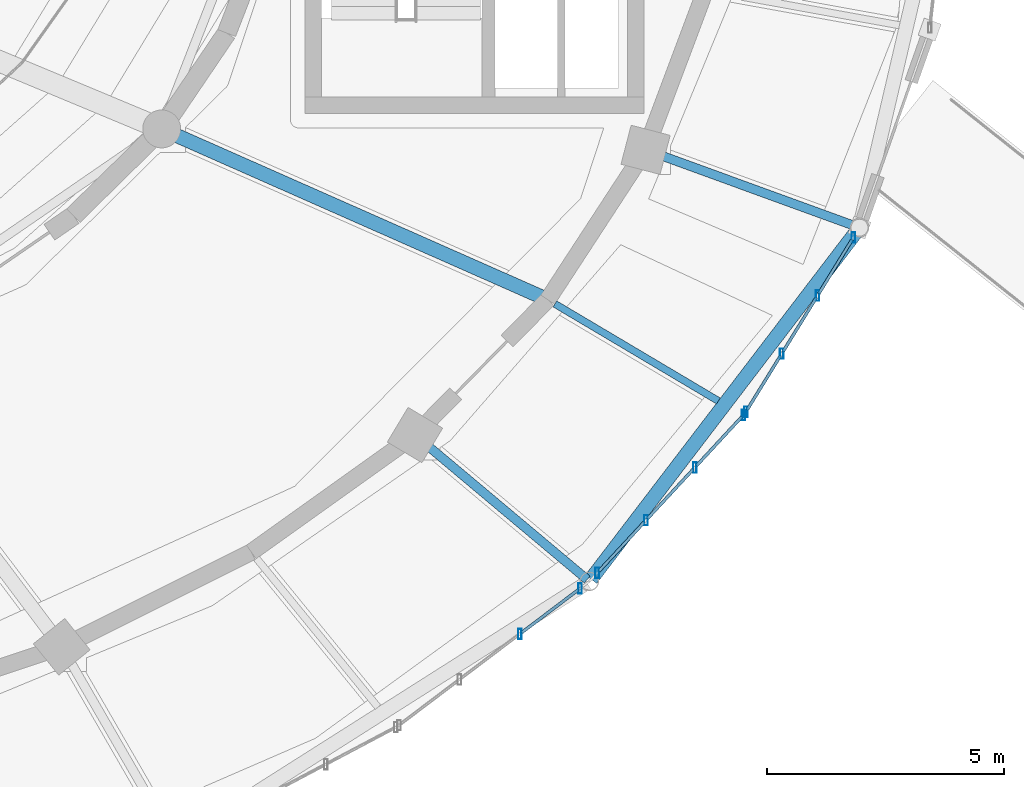
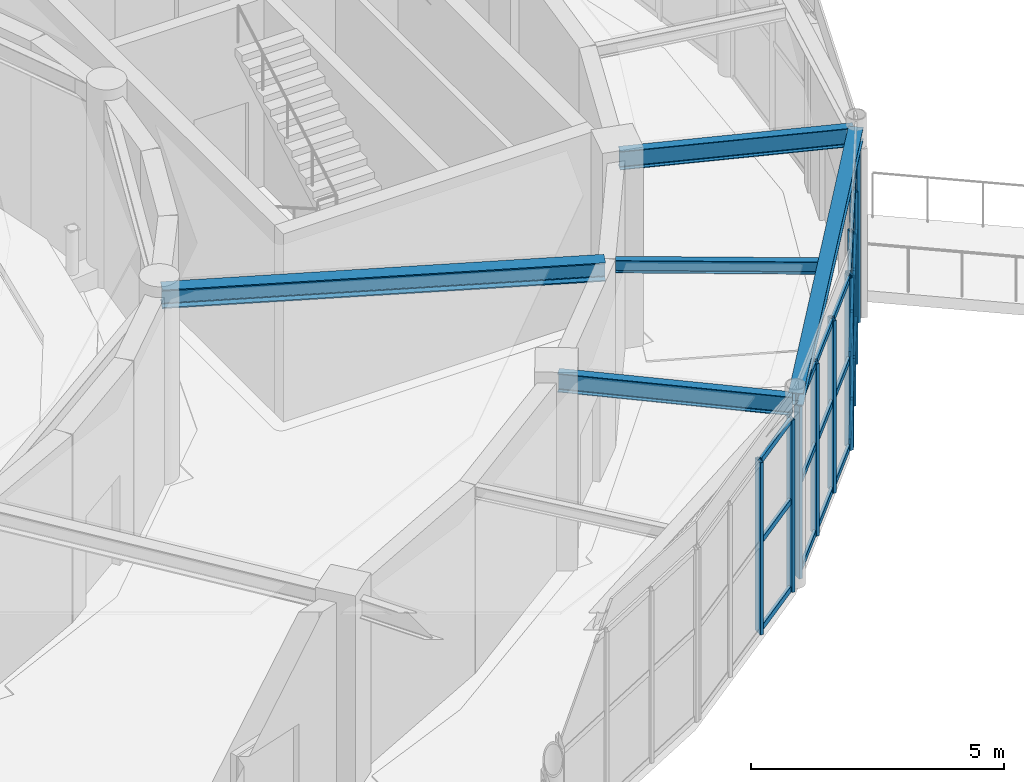
# One storey, part 40 of 100: 31 members, 5 beams, 3 elements without a shape of their own.
"""IFC4 building model written with IfcOpenShell, lengths in metres."""

from ifc_helpers import new_model, si_unit, direction, frame, origin, origin_2d, place, context, subcontext, project, spatial, hollow_rectangle, i_section, extrude, material, material_profile, profile_set, type_object, element, aggregate, save


model = new_model("IFC4")

# Units and contexts
model_context = context("Model", 3, precision=1e-05, world=origin(), true_north=direction((0.0, 1.0)))
body_context = subcontext(model_context, "Body", "Model", "MODEL_VIEW")
ifc_project = project(units=[si_unit("LENGTHUNIT", "METRE"), si_unit("AREAUNIT", "SQUARE_METRE"), si_unit("VOLUMEUNIT", "CUBIC_METRE"), si_unit("PLANEANGLEUNIT", "RADIAN"), si_unit("MASSUNIT", "GRAM", prefix="KILO")], contexts=[model_context])

# Site, building, storey
site_placement = place(None, origin())
site = spatial("IfcSite", under=ifc_project, at=site_placement, CompositionType="ELEMENT")
building_placement = place(site_placement, origin())
building = spatial("IfcBuilding", under=site, at=building_placement, Name="Tarnveldt Headland Concert Hall", CompositionType="ELEMENT")
storey_placement = place(building_placement, frame((0.0, 0.0, 4.800048828125)))
storey = spatial("IfcBuildingStorey", under=building, at=storey_placement, Name="L01", CompositionType="ELEMENT", Elevation=4.800048828125)

# Curtain wall, members
ifc_material_1 = material(Name="Marine-anodised aluminium EN AW-6063-T6", Category="aluminium")
curtain_wall_type = type_object("IfcCurtainWallType", Name="CW-F2", PredefinedType="NOTDEFINED", material=ifc_material_1)
curtain_wall_1_placement = place(storey_placement, origin())
curtain_wall_1 = element("IfcCurtainWall", 1, at=curtain_wall_1_placement, inside=storey, type_object=curtain_wall_type, Name="Curtain wall CW-L01-056", PredefinedType="NOTDEFINED")
ifc_material_profile_1 = material_profile(ifc_material_1, hollow_rectangle(XDim=0.074951171875, YDim=0.219970703125, WallThickness=0.0048828125, at=origin_2d()), Name="ALU MULLION 75x220x5", Category="aluminium")
ifc_profile_set_1 = profile_set([ifc_material_profile_1], Name="Marine-anodised aluminium EN AW-6063-T6")
member_type_1 = type_object("IfcMemberType", Name="ML-200", PredefinedType="MULLION", material=ifc_profile_set_1)
member_1_placement = place(storey_placement, frame((107.159912109375, 37.4501953125, 0.0), z_axis=(0.0, 0.0, 1.0), x_axis=(1.0, 0.0, 0.0)))
member_1 = element("IfcMember", 2, at=member_1_placement, type_object=member_type_1, Name="Mullion CW-L01-056-3", PredefinedType="MULLION", context=body_context, shape_type="SweptSolid", body=[
    extrude(hollow_rectangle(XDim=0.074951171875, YDim=0.219970703125, WallThickness=0.0048828125, at=origin_2d()), origin(), (0.0, 0.0, 1.0), 4.159912109375),
])
member_2_placement = place(storey_placement, frame((108.432373046875, 38.412109375, 0.0), z_axis=(0.0, 0.0, 1.0), x_axis=(1.0, 0.0, 0.0)))
member_2 = element("IfcMember", 3, at=member_2_placement, type_object=member_type_1, Name="Mullion CW-L01-056-4", PredefinedType="MULLION", context=body_context, shape_type="SweptSolid", body=[
    extrude(hollow_rectangle(XDim=0.074951171875, YDim=0.219970703125, WallThickness=0.0048828125, at=origin_2d()), origin(), (0.0, 0.0, 1.0), 4.159912109375),
])

curtain_wall_2_placement = place(storey_placement, origin())
curtain_wall_2 = element("IfcCurtainWall", 4, at=curtain_wall_2_placement, inside=storey, type_object=curtain_wall_type, Name="Curtain wall CW-L01-057", PredefinedType="NOTDEFINED")
member_3_placement = place(storey_placement, frame((108.79150390625, 38.7373046875, 0.0), z_axis=(0.0, 0.0, 1.0), x_axis=(1.0, 0.0, 0.0)))
member_3 = element("IfcMember", 5, at=member_3_placement, type_object=member_type_1, Name="Mullion CW-L01-057-1", PredefinedType="MULLION", context=body_context, shape_type="SweptSolid", body=[
    extrude(hollow_rectangle(XDim=0.074951171875, YDim=0.219970703125, WallThickness=0.0048828125, at=origin_2d()), origin(), (0.0, 0.0, 1.0), 4.159912109375),
])
member_4_placement = place(storey_placement, frame((109.820556640625, 39.848388671875, 0.0), z_axis=(0.0, 0.0, 1.0), x_axis=(1.0, 0.0, 0.0)))
member_4 = element("IfcMember", 6, at=member_4_placement, type_object=member_type_1, Name="Mullion CW-L01-057-2", PredefinedType="MULLION", context=body_context, shape_type="SweptSolid", body=[
    extrude(hollow_rectangle(XDim=0.074951171875, YDim=0.219970703125, WallThickness=0.0048828125, at=origin_2d()), origin(), (0.0, 0.0, 1.0), 4.159912109375),
])
member_5_placement = place(storey_placement, frame((110.849365234375, 40.959716796875, 0.0), z_axis=(0.0, 0.0, 1.0), x_axis=(1.0, 0.0, 0.0)))
member_5 = element("IfcMember", 7, at=member_5_placement, type_object=member_type_1, Name="Mullion CW-L01-057-3", PredefinedType="MULLION", context=body_context, shape_type="SweptSolid", body=[
    extrude(hollow_rectangle(XDim=0.074951171875, YDim=0.219970703125, WallThickness=0.0048828125, at=origin_2d()), origin(), (0.0, 0.0, 1.0), 4.159912109375),
])
member_6_placement = place(storey_placement, frame((111.87841796875, 42.07080078125, 0.0), z_axis=(0.0, 0.0, 1.0), x_axis=(1.0, 0.0, 0.0)))
member_6 = element("IfcMember", 8, at=member_6_placement, type_object=member_type_1, Name="Mullion CW-L01-057-4", PredefinedType="MULLION", context=body_context, shape_type="SweptSolid", body=[
    extrude(hollow_rectangle(XDim=0.074951171875, YDim=0.219970703125, WallThickness=0.0048828125, at=origin_2d()), origin(), (0.0, 0.0, 1.0), 4.159912109375),
])

curtain_wall_3_placement = place(storey_placement, origin())
curtain_wall_3 = element("IfcCurtainWall", 9, at=curtain_wall_3_placement, inside=storey, type_object=curtain_wall_type, Name="Curtain wall CW-L01-058", PredefinedType="NOTDEFINED")
member_7_placement = place(storey_placement, frame((111.926513671875, 42.134033203125, 0.0), z_axis=(0.0, 0.0, 1.0), x_axis=(1.0, 0.0, 0.0)))
member_7 = element("IfcMember", 10, at=member_7_placement, type_object=member_type_1, Name="Mullion CW-L01-058-1", PredefinedType="MULLION", context=body_context, shape_type="SweptSolid", body=[
    extrude(hollow_rectangle(XDim=0.074951171875, YDim=0.219970703125, WallThickness=0.0048828125, at=origin_2d()), origin(), (0.0, 0.0, 1.0), 4.159912109375),
])
member_8_placement = place(storey_placement, frame((112.6826171875, 43.359619140625, 0.0), z_axis=(0.0, 0.0, 1.0), x_axis=(1.0, 0.0, 0.0)))
member_8 = element("IfcMember", 11, at=member_8_placement, type_object=member_type_1, Name="Mullion CW-L01-058-2", PredefinedType="MULLION", context=body_context, shape_type="SweptSolid", body=[
    extrude(hollow_rectangle(XDim=0.074951171875, YDim=0.219970703125, WallThickness=0.0048828125, at=origin_2d()), origin(), (0.0, 0.0, 1.0), 4.159912109375),
])
member_9_placement = place(storey_placement, frame((113.438232421875, 44.585205078125, 0.0), z_axis=(0.0, 0.0, 1.0), x_axis=(1.0, 0.0, 0.0)))
member_9 = element("IfcMember", 12, at=member_9_placement, type_object=member_type_1, Name="Mullion CW-L01-058-3", PredefinedType="MULLION", context=body_context, shape_type="SweptSolid", body=[
    extrude(hollow_rectangle(XDim=0.074951171875, YDim=0.219970703125, WallThickness=0.0048828125, at=origin_2d()), origin(), (0.0, 0.0, 1.0), 4.159912109375),
])
member_10_placement = place(storey_placement, frame((114.194091796875, 45.810791015625, 0.0), z_axis=(0.0, 0.0, 1.0), x_axis=(1.0, 0.0, 0.0)))
member_10 = element("IfcMember", 13, at=member_10_placement, type_object=member_type_1, Name="Mullion CW-L01-058-4", PredefinedType="MULLION", context=body_context, shape_type="SweptSolid", body=[
    extrude(hollow_rectangle(XDim=0.074951171875, YDim=0.219970703125, WallThickness=0.0048828125, at=origin_2d()), origin(), (0.0, 0.0, 1.0), 4.159912109375),
])

# Beams
ifc_material_2 = material(Name="Steel S355", Category="steel")
ifc_material_profile_2 = material_profile(ifc_material_2, i_section(OverallWidth=0.300048828125, OverallDepth=0.2900390625, WebThickness=0.008544921875, FlangeThickness=0.013916015625, FilletRadius=0.027099609375, at=origin_2d()), Name="HEA300", Category="steel")
ifc_profile_set_2 = profile_set([ifc_material_profile_2], Name="Steel S355")
beam_type_1 = type_object("IfcBeamType", Name="SB-HEA300", PredefinedType="SPANDREL", material=ifc_profile_set_2)
beam_1_placement = place(storey_placement, frame((108.66259765625, 38.606689453125, 4.39501953125), z_axis=(0.606896353007, 0.794780986629, 0.0), x_axis=(-0.794780986629, 0.606896353007, 0.0)))
element("IfcBeam", 14, at=beam_1_placement, inside=storey, type_object=beam_type_1, Name="Framing beam L01-726", PredefinedType="SPANDREL", context=body_context, shape_type="SweptSolid", body=[
    extrude(i_section(OverallWidth=0.300048828125, OverallDepth=0.2900390625, WebThickness=0.008544921875, FlangeThickness=0.013916015625, FilletRadius=0.027099609375, at=origin_2d()), origin(), (0.0, 0.0, 1.0), 9.264892578125),
])
ifc_material_profile_3 = material_profile(ifc_material_2, i_section(OverallWidth=0.300048828125, OverallDepth=0.449951171875, WebThickness=0.013916015625, FlangeThickness=0.02587890625, FilletRadius=0.027099609375, at=origin_2d()), Name="HEB450", Category="steel")
ifc_profile_set_3 = profile_set([ifc_material_profile_3], Name="Steel S355")
beam_type_2 = type_object("IfcBeamType", Name="SB-HEB450", PredefinedType="BEAM", material=ifc_profile_set_3)
beam_2_placement = place(storey_placement, frame((99.644775390625, 48.083740234375, 4.31494140625), z_axis=(0.91456211397, -0.404445471839, 0.0), x_axis=(0.404445471839, 0.91456211397, 0.0)))
element("IfcBeam", 15, at=beam_2_placement, inside=storey, type_object=beam_type_2, Name="Framing beam L01-754", PredefinedType="BEAM", context=body_context, shape_type="SweptSolid", body=[
    extrude(i_section(OverallWidth=0.300048828125, OverallDepth=0.449951171875, WebThickness=0.013916015625, FlangeThickness=0.02587890625, FilletRadius=0.027099609375, at=origin_2d()), origin(), (0.0, 0.0, 1.0), 8.821044921875),
])
ifc_material_profile_4 = material_profile(ifc_material_2, i_section(OverallWidth=0.14990234375, OverallDepth=0.300048828125, WebThickness=0.007080078125, FlangeThickness=0.0107421875, FilletRadius=0.014892578125, at=origin_2d()), Name="IPE300", Category="steel")
ifc_profile_set_4 = profile_set([ifc_material_profile_4], Name="Steel S355")
beam_type_3 = type_object("IfcBeamType", Name="SB-IPE300", PredefinedType="JOIST", material=ifc_profile_set_4)
beam_3_placement = place(storey_placement, frame((107.899169921875, 44.41064453125, 4.389892578125), z_axis=(0.859902377377, -0.510458520726, 0.0), x_axis=(0.510458520726, 0.859902377377, 0.0)))
element("IfcBeam", 16, at=beam_3_placement, inside=storey, type_object=beam_type_3, Name="Framing beam L01-728", PredefinedType="JOIST", context=body_context, shape_type="SweptSolid", body=[
    extrude(i_section(OverallWidth=0.14990234375, OverallDepth=0.300048828125, WebThickness=0.007080078125, FlangeThickness=0.0107421875, FilletRadius=0.014892578125, at=origin_2d()), origin(), (0.0, 0.0, 1.0), 4.007568359375),
])
ifc_material_profile_5 = material_profile(ifc_material_2, i_section(OverallWidth=0.18994140625, OverallDepth=0.449951171875, WebThickness=0.009521484375, FlangeThickness=0.0146484375, FilletRadius=0.02099609375, at=origin_2d()), Name="IPE450", Category="steel")
ifc_profile_set_5 = profile_set([ifc_material_profile_5], Name="Steel S355")
beam_type_4 = type_object("IfcBeamType", Name="SB-IPE450", PredefinedType="BEAM", material=ifc_profile_set_5)
beam_4_placement = place(storey_placement, frame((104.979736328125, 41.618408203125, 4.31494140625), z_axis=(0.76607107782, -0.642755866351, 0.0), x_axis=(0.642755866351, 0.76607107782, 0.0)))
element("IfcBeam", 17, at=beam_4_placement, inside=storey, type_object=beam_type_4, Name="Framing beam L01-727", PredefinedType="BEAM", context=body_context, shape_type="SweptSolid", body=[
    extrude(i_section(OverallWidth=0.18994140625, OverallDepth=0.449951171875, WebThickness=0.009521484375, FlangeThickness=0.0146484375, FilletRadius=0.02099609375, at=origin_2d()), origin(), (0.0, 0.0, 1.0), 4.699951171875),
])
beam_5_placement = place(storey_placement, frame((109.84912109375, 47.64599609375, 4.31494140625), z_axis=(0.939673545823, -0.34207254681, 0.0), x_axis=(0.34207254681, 0.939673545823, 0.0)))
element("IfcBeam", 18, at=beam_5_placement, inside=storey, type_object=beam_type_4, Name="Framing beam L01-730", PredefinedType="BEAM", context=body_context, shape_type="SweptSolid", body=[
    extrude(i_section(OverallWidth=0.18994140625, OverallDepth=0.449951171875, WebThickness=0.009521484375, FlangeThickness=0.0146484375, FilletRadius=0.02099609375, at=origin_2d()), origin(), (0.0, 0.0, 1.0), 4.69970703125),
])

# Member
ifc_material_profile_6 = material_profile(ifc_material_1, hollow_rectangle(XDim=0.06494140625, YDim=0.139892578125, WallThickness=0.00390625, at=origin_2d()), Name="ALU TRANSOM 65x140x4", Category="aluminium")
ifc_profile_set_6 = profile_set([ifc_material_profile_6], Name="Marine-anodised aluminium EN AW-6063-T6")
member_type_2 = type_object("IfcMemberType", Name="TR-140", PredefinedType="MEMBER", material=ifc_profile_set_6)
member_11_placement = place(storey_placement, frame((107.199462890625, 37.47998046875, 0.050048828125), z_axis=(0.797644013211, 0.603128533721, 0.0), x_axis=(-0.603128533721, 0.797644013211, 0.0)))
member_11 = element("IfcMember", 19, at=member_11_placement, type_object=member_type_2, Name="Transom CW-L01-056-3-1", PredefinedType="MEMBER", context=body_context, shape_type="SweptSolid", body=[
    extrude(hollow_rectangle(XDim=0.06494140625, YDim=0.139892578125, WallThickness=0.00390625, at=origin_2d()), origin(), (0.0, 0.0, 1.0), 1.49609375),
])

member_12_placement = place(storey_placement, frame((107.199462890625, 37.47998046875, 2.1630859375), z_axis=(0.797644013211, 0.603128533721, 0.0), x_axis=(-0.603128533721, 0.797644013211, 0.0)))
member_12 = element("IfcMember", 20, at=member_12_placement, type_object=member_type_2, Name="Transom CW-L01-056-3-2", PredefinedType="MEMBER", context=body_context, shape_type="SweptSolid", body=[
    extrude(hollow_rectangle(XDim=0.06494140625, YDim=0.139892578125, WallThickness=0.00390625, at=origin_2d()), origin(), (0.0, 0.0, 1.0), 1.49609375),
])

member_13_placement = place(storey_placement, frame((107.199462890625, 37.47998046875, 4.10986328125), z_axis=(0.797644013211, 0.603128533721, 0.0), x_axis=(-0.603128533721, 0.797644013211, 0.0)))
member_13 = element("IfcMember", 21, at=member_13_placement, type_object=member_type_2, Name="Transom CW-L01-056-3-3", PredefinedType="MEMBER", context=body_context, shape_type="SweptSolid", body=[
    extrude(hollow_rectangle(XDim=0.06494140625, YDim=0.139892578125, WallThickness=0.00390625, at=origin_2d()), origin(), (0.0, 0.0, 1.0), 1.49609375),
])

aggregate(curtain_wall_1, [member_1, member_2, member_11, member_12, member_13])

member_14_placement = place(storey_placement, frame((108.8251953125, 38.773681640625, 0.050048828125), z_axis=(0.679504344073, 0.733671483966, 0.0), x_axis=(-0.733671483966, 0.679504344073, 0.0)))
member_14 = element("IfcMember", 22, at=member_14_placement, type_object=member_type_2, Name="Transom CW-L01-057-1-1", PredefinedType="MEMBER", context=body_context, shape_type="SweptSolid", body=[
    extrude(hollow_rectangle(XDim=0.06494140625, YDim=0.139892578125, WallThickness=0.00390625, at=origin_2d()), origin(), (0.0, 0.0, 1.0), 1.415283203125),
])

member_15_placement = place(storey_placement, frame((108.8251953125, 38.773681640625, 2.1630859375), z_axis=(0.679504344073, 0.733671483966, 0.0), x_axis=(-0.733671483966, 0.679504344073, 0.0)))
member_15 = element("IfcMember", 23, at=member_15_placement, type_object=member_type_2, Name="Transom CW-L01-057-1-2", PredefinedType="MEMBER", context=body_context, shape_type="SweptSolid", body=[
    extrude(hollow_rectangle(XDim=0.06494140625, YDim=0.139892578125, WallThickness=0.00390625, at=origin_2d()), origin(), (0.0, 0.0, 1.0), 1.415283203125),
])

member_16_placement = place(storey_placement, frame((108.8251953125, 38.773681640625, 4.10986328125), z_axis=(0.679504344073, 0.733671483966, 0.0), x_axis=(-0.733671483966, 0.679504344073, 0.0)))
member_16 = element("IfcMember", 24, at=member_16_placement, type_object=member_type_2, Name="Transom CW-L01-057-1-3", PredefinedType="MEMBER", context=body_context, shape_type="SweptSolid", body=[
    extrude(hollow_rectangle(XDim=0.06494140625, YDim=0.139892578125, WallThickness=0.00390625, at=origin_2d()), origin(), (0.0, 0.0, 1.0), 1.415283203125),
])

member_17_placement = place(storey_placement, frame((109.85400390625, 39.884765625, 0.050048828125), z_axis=(0.679597183655, 0.733585487839, 0.0), x_axis=(-0.733585487839, 0.679597183655, 0.0)))
member_17 = element("IfcMember", 25, at=member_17_placement, type_object=member_type_2, Name="Transom CW-L01-057-2-1", PredefinedType="MEMBER", context=body_context, shape_type="SweptSolid", body=[
    extrude(hollow_rectangle(XDim=0.06494140625, YDim=0.139892578125, WallThickness=0.00390625, at=origin_2d()), origin(), (0.0, 0.0, 1.0), 1.41552734375),
])

member_18_placement = place(storey_placement, frame((109.85400390625, 39.884765625, 2.1630859375), z_axis=(0.679597183655, 0.733585487839, 0.0), x_axis=(-0.733585487839, 0.679597183655, 0.0)))
member_18 = element("IfcMember", 26, at=member_18_placement, type_object=member_type_2, Name="Transom CW-L01-057-2-2", PredefinedType="MEMBER", context=body_context, shape_type="SweptSolid", body=[
    extrude(hollow_rectangle(XDim=0.06494140625, YDim=0.139892578125, WallThickness=0.00390625, at=origin_2d()), origin(), (0.0, 0.0, 1.0), 1.41552734375),
])

member_19_placement = place(storey_placement, frame((109.85400390625, 39.884765625, 4.10986328125), z_axis=(0.679597183655, 0.733585487839, 0.0), x_axis=(-0.733585487839, 0.679597183655, 0.0)))
member_19 = element("IfcMember", 27, at=member_19_placement, type_object=member_type_2, Name="Transom CW-L01-057-2-3", PredefinedType="MEMBER", context=body_context, shape_type="SweptSolid", body=[
    extrude(hollow_rectangle(XDim=0.06494140625, YDim=0.139892578125, WallThickness=0.00390625, at=origin_2d()), origin(), (0.0, 0.0, 1.0), 1.41552734375),
])

member_20_placement = place(storey_placement, frame((110.883056640625, 40.995849609375, 0.050048828125), z_axis=(0.679418349957, 0.733751119755, 0.0), x_axis=(-0.733751119755, 0.679418349957, 0.0)))
member_20 = element("IfcMember", 28, at=member_20_placement, type_object=member_type_2, Name="Transom CW-L01-057-3-1", PredefinedType="MEMBER", context=body_context, shape_type="SweptSolid", body=[
    extrude(hollow_rectangle(XDim=0.06494140625, YDim=0.139892578125, WallThickness=0.00390625, at=origin_2d()), origin(), (0.0, 0.0, 1.0), 1.41552734375),
])

member_21_placement = place(storey_placement, frame((110.883056640625, 40.995849609375, 2.1630859375), z_axis=(0.679418349957, 0.733751119755, 0.0), x_axis=(-0.733751119755, 0.679418349957, 0.0)))
member_21 = element("IfcMember", 29, at=member_21_placement, type_object=member_type_2, Name="Transom CW-L01-057-3-2", PredefinedType="MEMBER", context=body_context, shape_type="SweptSolid", body=[
    extrude(hollow_rectangle(XDim=0.06494140625, YDim=0.139892578125, WallThickness=0.00390625, at=origin_2d()), origin(), (0.0, 0.0, 1.0), 1.41552734375),
])

member_22_placement = place(storey_placement, frame((110.883056640625, 40.995849609375, 4.10986328125), z_axis=(0.679418349957, 0.733751119755, 0.0), x_axis=(-0.733751119755, 0.679418349957, 0.0)))
member_22 = element("IfcMember", 30, at=member_22_placement, type_object=member_type_2, Name="Transom CW-L01-057-3-3", PredefinedType="MEMBER", context=body_context, shape_type="SweptSolid", body=[
    extrude(hollow_rectangle(XDim=0.06494140625, YDim=0.139892578125, WallThickness=0.00390625, at=origin_2d()), origin(), (0.0, 0.0, 1.0), 1.41552734375),
])

aggregate(curtain_wall_2, [member_3, member_4, member_5, member_6, member_14, member_15, member_16, member_17, member_18, member_19, member_20, member_21, member_22])

member_23_placement = place(storey_placement, frame((111.95263671875, 42.176025390625, 0.050048828125), z_axis=(0.524899695135, 0.85116409114, 0.0), x_axis=(-0.85116409114, 0.524899695135, 0.0)))
member_23 = element("IfcMember", 31, at=member_23_placement, type_object=member_type_2, Name="Transom CW-L01-058-1-1", PredefinedType="MEMBER", context=body_context, shape_type="SweptSolid", body=[
    extrude(hollow_rectangle(XDim=0.06494140625, YDim=0.139892578125, WallThickness=0.00390625, at=origin_2d()), origin(), (0.0, 0.0, 1.0), 1.3408203125),
])

member_24_placement = place(storey_placement, frame((111.95263671875, 42.176025390625, 2.1630859375), z_axis=(0.524899695135, 0.85116409114, 0.0), x_axis=(-0.85116409114, 0.524899695135, 0.0)))
member_24 = element("IfcMember", 32, at=member_24_placement, type_object=member_type_2, Name="Transom CW-L01-058-1-2", PredefinedType="MEMBER", context=body_context, shape_type="SweptSolid", body=[
    extrude(hollow_rectangle(XDim=0.06494140625, YDim=0.139892578125, WallThickness=0.00390625, at=origin_2d()), origin(), (0.0, 0.0, 1.0), 1.3408203125),
])

member_25_placement = place(storey_placement, frame((111.95263671875, 42.176025390625, 4.10986328125), z_axis=(0.524899695135, 0.85116409114, 0.0), x_axis=(-0.85116409114, 0.524899695135, 0.0)))
member_25 = element("IfcMember", 33, at=member_25_placement, type_object=member_type_2, Name="Transom CW-L01-058-1-3", PredefinedType="MEMBER", context=body_context, shape_type="SweptSolid", body=[
    extrude(hollow_rectangle(XDim=0.06494140625, YDim=0.139892578125, WallThickness=0.00390625, at=origin_2d()), origin(), (0.0, 0.0, 1.0), 1.3408203125),
])

member_26_placement = place(storey_placement, frame((112.70849609375, 43.40185546875, 0.050048828125), z_axis=(0.524899695135, 0.85116409114, 0.0), x_axis=(-0.85116409114, 0.524899695135, 0.0)))
member_26 = element("IfcMember", 34, at=member_26_placement, type_object=member_type_2, Name="Transom CW-L01-058-2-1", PredefinedType="MEMBER", context=body_context, shape_type="SweptSolid", body=[
    extrude(hollow_rectangle(XDim=0.06494140625, YDim=0.139892578125, WallThickness=0.00390625, at=origin_2d()), origin(), (0.0, 0.0, 1.0), 1.3408203125),
])

member_27_placement = place(storey_placement, frame((112.70849609375, 43.40185546875, 2.1630859375), z_axis=(0.524899695135, 0.85116409114, 0.0), x_axis=(-0.85116409114, 0.524899695135, 0.0)))
member_27 = element("IfcMember", 35, at=member_27_placement, type_object=member_type_2, Name="Transom CW-L01-058-2-2", PredefinedType="MEMBER", context=body_context, shape_type="SweptSolid", body=[
    extrude(hollow_rectangle(XDim=0.06494140625, YDim=0.139892578125, WallThickness=0.00390625, at=origin_2d()), origin(), (0.0, 0.0, 1.0), 1.3408203125),
])

member_28_placement = place(storey_placement, frame((112.70849609375, 43.40185546875, 4.10986328125), z_axis=(0.524899695135, 0.85116409114, 0.0), x_axis=(-0.85116409114, 0.524899695135, 0.0)))
member_28 = element("IfcMember", 36, at=member_28_placement, type_object=member_type_2, Name="Transom CW-L01-058-2-3", PredefinedType="MEMBER", context=body_context, shape_type="SweptSolid", body=[
    extrude(hollow_rectangle(XDim=0.06494140625, YDim=0.139892578125, WallThickness=0.00390625, at=origin_2d()), origin(), (0.0, 0.0, 1.0), 1.3408203125),
])

member_29_placement = place(storey_placement, frame((113.46435546875, 44.62744140625, 0.050048828125), z_axis=(0.524899695135, 0.85116409114, 0.0), x_axis=(-0.85116409114, 0.524899695135, 0.0)))
member_29 = element("IfcMember", 37, at=member_29_placement, type_object=member_type_2, Name="Transom CW-L01-058-3-1", PredefinedType="MEMBER", context=body_context, shape_type="SweptSolid", body=[
    extrude(hollow_rectangle(XDim=0.06494140625, YDim=0.139892578125, WallThickness=0.00390625, at=origin_2d()), origin(), (0.0, 0.0, 1.0), 1.3408203125),
])

member_30_placement = place(storey_placement, frame((113.46435546875, 44.62744140625, 2.1630859375), z_axis=(0.524899695135, 0.85116409114, 0.0), x_axis=(-0.85116409114, 0.524899695135, 0.0)))
member_30 = element("IfcMember", 38, at=member_30_placement, type_object=member_type_2, Name="Transom CW-L01-058-3-2", PredefinedType="MEMBER", context=body_context, shape_type="SweptSolid", body=[
    extrude(hollow_rectangle(XDim=0.06494140625, YDim=0.139892578125, WallThickness=0.00390625, at=origin_2d()), origin(), (0.0, 0.0, 1.0), 1.3408203125),
])

member_31_placement = place(storey_placement, frame((113.46435546875, 44.62744140625, 4.10986328125), z_axis=(0.524899695135, 0.85116409114, 0.0), x_axis=(-0.85116409114, 0.524899695135, 0.0)))
member_31 = element("IfcMember", 39, at=member_31_placement, type_object=member_type_2, Name="Transom CW-L01-058-3-3", PredefinedType="MEMBER", context=body_context, shape_type="SweptSolid", body=[
    extrude(hollow_rectangle(XDim=0.06494140625, YDim=0.139892578125, WallThickness=0.00390625, at=origin_2d()), origin(), (0.0, 0.0, 1.0), 1.3408203125),
])

aggregate(curtain_wall_3, [member_7, member_8, member_9, member_10, member_23, member_24, member_25, member_26, member_27, member_28, member_29, member_30, member_31])

save(model, "model.ifc")
